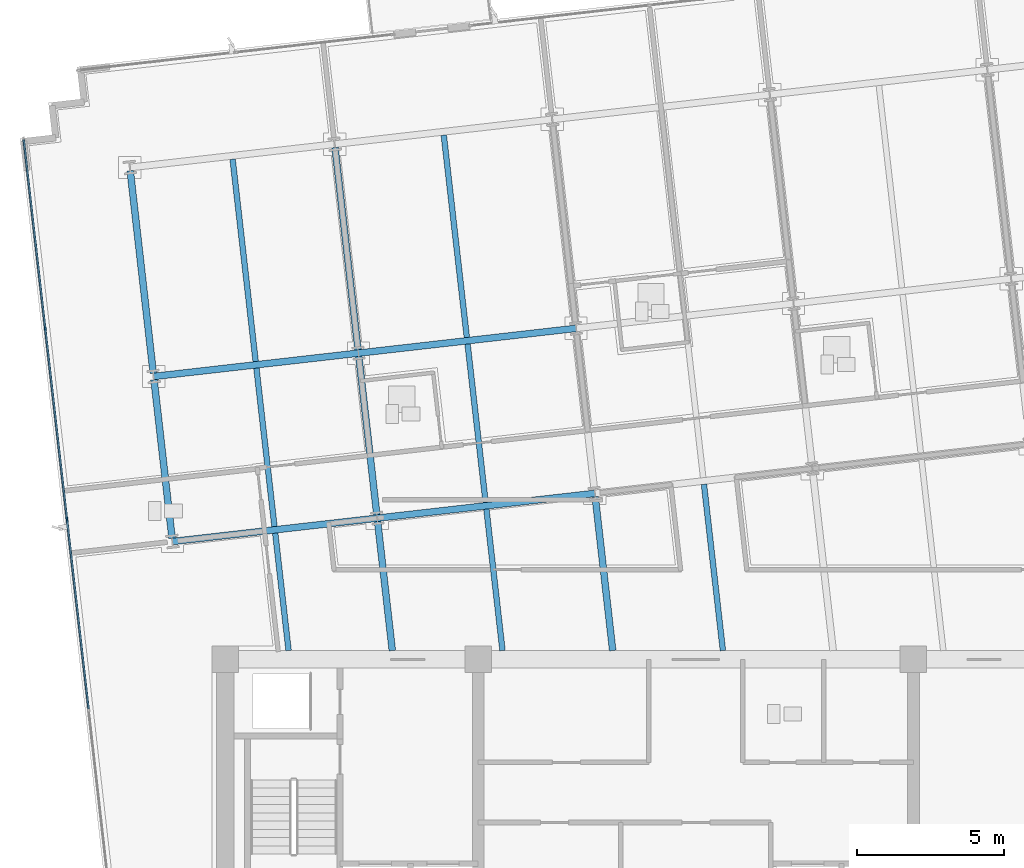
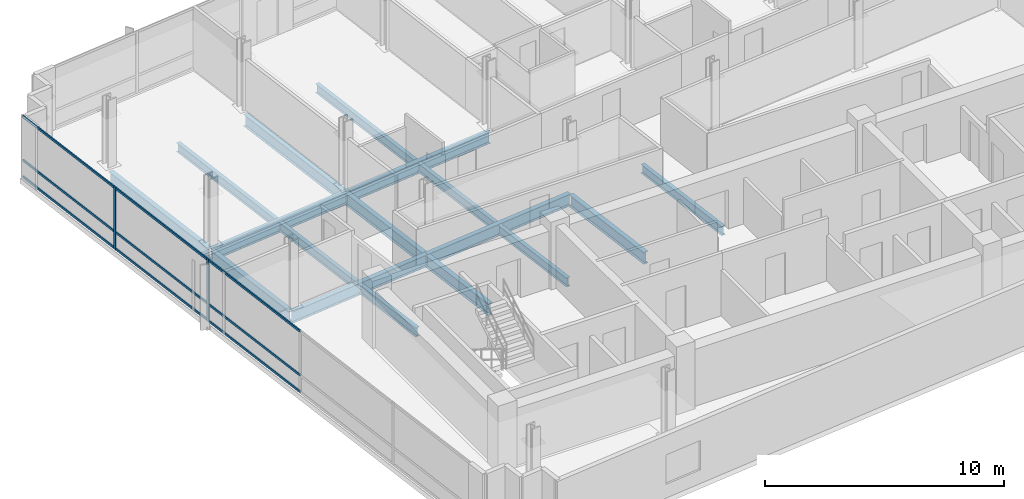
# One storey, part 3 of 16: 17 beams, 11 members, 1 element without a shape of its own.
"""IFC4 building model written with IfcOpenShell, lengths in metres."""

import ifcopenshell
import ifcopenshell.guid

model = None  # the IFC model being written
_history = None  # IfcOwnerHistory: only IFC2X3 demands one
_inside = {}  # id of a spatial element -> (the spatial element, [elements in it])
_under = {}  # id of a project, library or spatial element -> (it, [spatial elements below it])
_declared = {}  # id of a project -> (the project, [libraries it declares])
_typed = {}  # id of a type object -> (the type object, [elements of that type])
_made_of = {}  # id of a material, layer set ... -> (it, [elements and type objects made of it])


def new_model(schema):
    """Start an empty IFC model of exactly this schema.

    Asked for "IFC4X3", IfcOpenShell would pick the latest addendum, in which some entities
    have other attributes; the version numbers below select the first issue.
    IFC2X3 requires an IfcOwnerHistory on every rooted entity: one is made here for all.
    """
    global model, _history
    if schema == "IFC4X3":
        model = ifcopenshell.file(schema_version=(4, 3, 0, 0))
    else:
        model = ifcopenshell.file(schema=schema)
    _inside.clear()
    _under.clear()
    _declared.clear()
    _typed.clear()
    _made_of.clear()
    _history = None
    if model.schema == "IFC2X3":
        org = make("IfcOrganization", Name="unknown")
        user = make(
            "IfcPersonAndOrganization",
            ThePerson=make("IfcPerson", FamilyName="unknown"),
            TheOrganization=org,
        )
        app = make(
            "IfcApplication",
            ApplicationDeveloper=org,
            Version="unknown",
            ApplicationFullName="unknown",
            ApplicationIdentifier="unknown",
        )
        _history = make(
            "IfcOwnerHistory",
            OwningUser=user,
            OwningApplication=app,
            ChangeAction="ADDED",
            CreationDate=0,
        )
    return model


def make(cls, **values):
    """One entity of the class cls with the attributes given. An attribute that is None is left unset."""
    return model.create_entity(
        cls, **{name: value for name, value in values.items() if value is not None}
    )


def rooted(cls, **values):
    """An entity with a GlobalId (a new one), such as an element, a storey or a relation."""
    return make(cls, GlobalId=ifcopenshell.guid.new(), OwnerHistory=_history, **values)


def si_unit(unit_type, name, prefix=None):
    """IfcSIUnit, for example si_unit("LENGTHUNIT", "METRE", prefix="MILLI")."""
    return make("IfcSIUnit", UnitType=unit_type, Prefix=prefix, Name=name)


def assignment(units):
    """IfcUnitAssignment: the units of a project."""
    return None if units is None else make("IfcUnitAssignment", Units=units)


def point(xyz):
    """IfcCartesianPoint."""
    return None if xyz is None else make("IfcCartesianPoint", Coordinates=xyz)


def direction(xyz):
    """IfcDirection."""
    return None if xyz is None else make("IfcDirection", DirectionRatios=xyz)


def frame(location, z_axis=None, x_axis=None):
    """IfcAxis2Placement3D, a coordinate frame: its origin and axes. An axis left out is left unset."""
    return make(
        "IfcAxis2Placement3D",
        Location=point(location),
        Axis=direction(z_axis),
        RefDirection=direction(x_axis),
    )


def frame_2d(location, x_axis=None):
    """IfcAxis2Placement2D, a coordinate frame in the plane: its origin and x axis."""
    return make(
        "IfcAxis2Placement2D", Location=point(location), RefDirection=direction(x_axis)
    )


def origin():
    """The frame at (0, 0, 0) with its axes left unset."""
    return frame((0.0, 0.0, 0.0))


def origin_2d():
    """The frame at (0, 0) in the plane with its x axis left unset."""
    return frame_2d((0.0, 0.0))


def place(relative_to, where):
    """IfcLocalPlacement: puts the frame where relative to a parent placement (None: the world)."""
    return make(
        "IfcLocalPlacement", PlacementRelTo=relative_to, RelativePlacement=where
    )


def context(
    kind, dimensions, precision=None, world=None, true_north=None, identifier=None
):
    """IfcGeometricRepresentationContext, for example the 3D "Model" context."""
    return make(
        "IfcGeometricRepresentationContext",
        ContextIdentifier=identifier,
        ContextType=kind,
        CoordinateSpaceDimension=dimensions,
        Precision=precision,
        WorldCoordinateSystem=world,
        TrueNorth=true_north,
    )


def subcontext(parent, identifier, kind, view, scale=None):
    """IfcGeometricRepresentationSubContext, for example "Body" below "Model"."""
    return make(
        "IfcGeometricRepresentationSubContext",
        ContextIdentifier=identifier,
        ContextType=kind,
        ParentContext=parent,
        TargetScale=scale,
        TargetView=view,
    )


def project(units=None, contexts=None):
    """IfcProject with its units and contexts."""
    return rooted(
        "IfcProject",
        Name="project",
        RepresentationContexts=contexts,
        UnitsInContext=assignment(units),
    )


def spatial(cls, under=None, at=None, **own):
    """A site, building, storey or space (cls), placed at a placement, below another one or the project."""
    s = rooted(cls, ObjectPlacement=at, **own)
    if under is not None:
        _under.setdefault(under.id(), (under, []))[1].append(s)
    return s


def profile(cls, at=None, kind="AREA", **sizes):
    """A parametric profile (cls). Its sizes go by their IFC names, for example OverallWidth=200.0."""
    return make(cls, ProfileType=kind, Position=at, **sizes)


def rectangle(**sizes):
    """IfcRectangleProfileDef."""
    return profile("IfcRectangleProfileDef", **sizes)


def i_section(**sizes):
    """IfcIShapeProfileDef."""
    return profile("IfcIShapeProfileDef", **sizes)


def extrude(swept, where, along, depth):
    """IfcExtrudedAreaSolid: the profile swept, set in the frame where, extruded along a direction by depth."""
    return make(
        "IfcExtrudedAreaSolid",
        SweptArea=swept,
        Position=where,
        ExtrudedDirection=direction(along),
        Depth=depth,
    )


def shape(context_of_items, identifier, shape_type, items):
    """IfcShapeRepresentation: the items that make up one representation, for example the "Body"."""
    return make(
        "IfcShapeRepresentation",
        ContextOfItems=context_of_items,
        RepresentationIdentifier=identifier,
        RepresentationType=shape_type,
        Items=items,
    )


def material(Name=None, Category=None):
    """IfcMaterial."""
    return make("IfcMaterial", Name=Name, Category=Category)


def material_profile(
    of_material, cross_section, Name=None, Category=None, Priority=None
):
    """IfcMaterialProfile: a cross section and its material."""
    return make(
        "IfcMaterialProfile",
        Name=Name,
        Material=of_material,
        Profile=cross_section,
        Priority=Priority,
        Category=Category,
    )


def profile_set(profiles, Name=None, composite=None):
    """IfcMaterialProfileSet."""
    return make(
        "IfcMaterialProfileSet",
        Name=Name,
        MaterialProfiles=profiles,
        CompositeProfile=composite,
    )


def made_of(thing, what):
    """Note that an element or type object is made of a material, layer set ...; save() writes the relation."""
    if what is not None:
        _made_of.setdefault(what.id(), (what, []))[1].append(thing)
    return thing


def type_object(cls, material=None, **own):
    """A type object (cls), such as IfcWallType, which elements share."""
    return made_of(rooted(cls, **own), material)


def element(
    cls,
    number,
    at=None,
    inside=None,
    cuts=None,
    type_object=None,
    material=None,
    context=None,
    identifier="Body",
    shape_type=None,
    held_by="IfcProductDefinitionShape",
    body=None,
    shapes=None,
    **own,
):
    """One element of the class cls, such as IfcWall. Its Tag is "e" and its number.

    at: its placement. inside: the storey or other place that contains it. cuts: it is an
    opening in that element (IfcRelVoidsElement). A single representation is given by context,
    identifier, shape_type and body (its items); several are given by shapes. held_by: the class
    of the entity that holds the representations. save() writes the other relations.
    """
    e = rooted(cls, Tag="e%d" % number, ObjectPlacement=at, **own)
    if body is not None:
        shapes = [shape(context, identifier, shape_type, body)]
    if shapes is not None:
        e.Representation = make(held_by, Representations=shapes)
    if inside is not None:
        _inside.setdefault(inside.id(), (inside, []))[1].append(e)
    if cuts is not None:
        rooted(
            "IfcRelVoidsElement", RelatingBuildingElement=cuts, RelatedOpeningElement=e
        )
    if type_object is not None:
        _typed.setdefault(type_object.id(), (type_object, []))[1].append(e)
    return made_of(e, material)


def aggregate(whole, parts):
    """IfcRelAggregates: a whole, such as a stair, and the parts it consists of."""
    return rooted("IfcRelAggregates", RelatingObject=whole, RelatedObjects=parts)


def save(model, path):
    """Write the relations noted so far, then the file.

    IfcRelAggregates (storeys below a building ...), IfcRelContainedInSpatialStructure (elements
    in a storey), IfcRelDefinesByType, IfcRelAssociatesMaterial and IfcRelDeclares: one each for
    every whole, place, type object, material and project.
    """
    for whole, parts in _under.values():
        aggregate(whole, parts)
    for where, things in _inside.values():
        rooted(
            "IfcRelContainedInSpatialStructure",
            RelatedElements=things,
            RelatingStructure=where,
        )
    for kind, things in _typed.values():
        rooted("IfcRelDefinesByType", RelatedObjects=things, RelatingType=kind)
    for what, things in _made_of.values():
        rooted("IfcRelAssociatesMaterial", RelatedObjects=things, RelatingMaterial=what)
    for by, libraries in _declared.values():
        rooted("IfcRelDeclares", RelatingContext=by, RelatedDefinitions=libraries)
    model.write(path)


model = new_model("IFC4")

# Units and contexts
model_context = context("Model", 3, precision=1e-05, world=origin(), true_north=direction((0.0, 1.0)))
body_context = subcontext(model_context, "Body", "Model", "MODEL_VIEW")
ifc_project = project(units=[si_unit("LENGTHUNIT", "METRE"), si_unit("AREAUNIT", "SQUARE_METRE"), si_unit("VOLUMEUNIT", "CUBIC_METRE"), si_unit("PLANEANGLEUNIT", "RADIAN"), si_unit("MASSUNIT", "GRAM", prefix="KILO")], contexts=[model_context])

# Site, building, storey
site_placement = place(None, origin())
site = spatial("IfcSite", under=ifc_project, at=site_placement, CompositionType="ELEMENT")
building_placement = place(site_placement, origin())
building = spatial("IfcBuilding", under=site, at=building_placement, Name="Solmavex Isthmus Hotel", CompositionType="ELEMENT")
storey_placement = place(building_placement, frame((0.0, 0.0, 215.85009765625)))
storey = spatial("IfcBuildingStorey", under=building, at=storey_placement, Name="L58", CompositionType="ELEMENT", Elevation=215.85009765625)

# Beams
ifc_material_1 = material(Name="Steel ASTM A992 Grade 50", Category="steel")
ifc_material_profile_1 = material_profile(ifc_material_1, i_section(OverallWidth=0.1904296875, OverallDepth=0.456787109375, WebThickness=0.009033203125, FlangeThickness=0.014404296875, FilletRadius=0.0126953125, at=origin_2d()), Name="W18X50")
ifc_profile_set_1 = profile_set([ifc_material_profile_1], Name="Steel ASTM A992 Grade 50")
beam_type_1 = type_object("IfcBeamType", Name="BM-BJ-W18X50", PredefinedType="JOIST", material=ifc_profile_set_1)
beam_1_placement = place(storey_placement, frame((-13.847900390625, -2.199951171875, -0.488525390625), z_axis=(-0.113179724577, 0.993574531651, 0.0), x_axis=(-0.993574531651, -0.113179724577, 0.0)))
element("IfcBeam", 1, at=beam_1_placement, inside=storey, type_object=beam_type_1, Name="Secondary Floor Joist L58-J02", PredefinedType="JOIST", context=body_context, shape_type="SweptSolid", body=[
    extrude(i_section(OverallWidth=0.1904296875, OverallDepth=0.456787109375, WebThickness=0.009033203125, FlangeThickness=0.014404296875, FilletRadius=0.0126953125, at=origin_2d()), origin(), (0.0, 0.0, 1.0), 4.0166015625),
])
beam_2_placement = place(storey_placement, frame((-14.328369140625, 2.01708984375, -0.488525390625), z_axis=(-0.113189626161, 0.993573403695, 0.0), x_axis=(-0.993573403695, -0.113189626161, 0.0)))
element("IfcBeam", 2, at=beam_2_placement, inside=storey, type_object=beam_type_1, Name="Secondary Floor Joist L58-J03", PredefinedType="JOIST", context=body_context, shape_type="SweptSolid", body=[
    extrude(i_section(OverallWidth=0.1904296875, OverallDepth=0.456787109375, WebThickness=0.009033203125, FlangeThickness=0.014404296875, FilletRadius=0.0126953125, at=origin_2d()), origin(), (0.0, 0.0, 1.0), 5.42041015625),
])
beam_3_placement = place(storey_placement, frame((-14.9677734375, 7.62890625, -0.488525390625), z_axis=(-0.113202453846, 0.993571942258, 0.0), x_axis=(-0.993571942258, -0.113202453846, 0.0)))
element("IfcBeam", 3, at=beam_3_placement, inside=storey, type_object=beam_type_1, Name="Secondary Floor Joist L58-J04", PredefinedType="JOIST", context=body_context, shape_type="SweptSolid", body=[
    extrude(i_section(OverallWidth=0.1904296875, OverallDepth=0.456787109375, WebThickness=0.009033203125, FlangeThickness=0.014404296875, FilletRadius=0.0126953125, at=origin_2d()), origin(), (0.0, 0.0, 1.0), 6.9228515625),
])
beam_4_placement = place(storey_placement, frame((-6.57421875, -2.199951171875, -0.488525390625), z_axis=(-0.113193768539, 0.993572931779, 0.0), x_axis=(-0.993572931779, -0.113193768539, 0.0)))
element("IfcBeam", 4, at=beam_4_placement, inside=storey, type_object=beam_type_1, Name="Secondary Floor Joist L58-J06", PredefinedType="JOIST", context=body_context, shape_type="SweptSolid", body=[
    extrude(i_section(OverallWidth=0.1904296875, OverallDepth=0.456787109375, WebThickness=0.009033203125, FlangeThickness=0.014404296875, FilletRadius=0.0126953125, at=origin_2d()), origin(), (0.0, 0.0, 1.0), 4.83984375),
])
beam_5_placement = place(storey_placement, frame((-7.14794921875, 2.835205078125, -0.488525390625), z_axis=(-0.113189626161, 0.993573403695, 0.0), x_axis=(-0.993573403695, -0.113189626161, 0.0)))
element("IfcBeam", 5, at=beam_5_placement, inside=storey, type_object=beam_type_1, Name="Secondary Floor Joist L58-J07", PredefinedType="JOIST", context=body_context, shape_type="SweptSolid", body=[
    extrude(i_section(OverallWidth=0.1904296875, OverallDepth=0.456787109375, WebThickness=0.009033203125, FlangeThickness=0.014404296875, FilletRadius=0.0126953125, at=origin_2d()), origin(), (0.0, 0.0, 1.0), 5.42041015625),
])
beam_6_placement = place(storey_placement, frame((-7.787109375, 8.447021484375, -0.488525390625), z_axis=(-0.113202453846, 0.993571942258, 0.0), x_axis=(-0.993571942258, -0.113202453846, 0.0)))
element("IfcBeam", 6, at=beam_6_placement, inside=storey, type_object=beam_type_1, Name="Secondary Floor Joist L58-J08", PredefinedType="JOIST", context=body_context, shape_type="SweptSolid", body=[
    extrude(i_section(OverallWidth=0.1904296875, OverallDepth=0.456787109375, WebThickness=0.009033203125, FlangeThickness=0.014404296875, FilletRadius=0.0126953125, at=origin_2d()), origin(), (0.0, 0.0, 1.0), 6.9228515625),
])
beam_7_placement = place(storey_placement, frame((0.920166015625, -2.199951171875, -0.488525390625), z_axis=(-0.113219765873, 0.993569969663, 0.0), x_axis=(-0.993569969663, -0.113219765873, 0.0)))
element("IfcBeam", 7, at=beam_7_placement, inside=storey, type_object=beam_type_1, Name="Secondary Floor Joist L58-J09", PredefinedType="JOIST", context=body_context, shape_type="SweptSolid", body=[
    extrude(i_section(OverallWidth=0.1904296875, OverallDepth=0.456787109375, WebThickness=0.009033203125, FlangeThickness=0.014404296875, FilletRadius=0.0126953125, at=origin_2d()), origin(), (0.0, 0.0, 1.0), 5.6884765625),
])
ifc_material_profile_2 = material_profile(ifc_material_1, i_section(OverallWidth=0.227783203125, OverallDepth=0.602783203125, WebThickness=0.010498046875, FlangeThickness=0.014892578125, FilletRadius=0.01513671875, at=origin_2d()), Name="W24X68")
ifc_profile_set_2 = profile_set([ifc_material_profile_2], Name="Steel ASTM A992 Grade 50")
beam_type_2 = type_object("IfcBeamType", Name="BM-BM-W24X68", PredefinedType="BEAM", material=ifc_profile_set_2)
beam_8_placement = place(storey_placement, frame((-17.796875, 1.50732421875, -0.5615234375), z_axis=(0.993569675103, 0.113222350774, 0.0), x_axis=(-0.113222350774, 0.993569675103, 0.0)))
element("IfcBeam", 8, at=beam_8_placement, inside=storey, type_object=beam_type_2, Name="Floor Girder L58-UG06", PredefinedType="BEAM", context=body_context, shape_type="SweptSolid", body=[
    extrude(i_section(OverallWidth=0.227783203125, OverallDepth=0.602783203125, WebThickness=0.010498046875, FlangeThickness=0.014892578125, FilletRadius=0.01513671875, at=origin_2d()), origin(), (0.0, 0.0, 1.0), 7.008056640625),
])
beam_9_placement = place(storey_placement, frame((-10.833984375, 2.30078125, -0.5615234375), z_axis=(0.993574034044, 0.113184092846, 0.0), x_axis=(-0.113184092846, 0.993574034044, 0.0)))
element("IfcBeam", 9, at=beam_9_placement, inside=storey, type_object=beam_type_2, Name="Floor Girder L58-UG07", PredefinedType="BEAM", context=body_context, shape_type="SweptSolid", body=[
    extrude(i_section(OverallWidth=0.227783203125, OverallDepth=0.602783203125, WebThickness=0.010498046875, FlangeThickness=0.014892578125, FilletRadius=0.01513671875, at=origin_2d()), origin(), (0.0, 0.0, 1.0), 7.446044921875),
])
beam_10_placement = place(storey_placement, frame((-18.436279296875, 7.119140625, -0.5615234375), z_axis=(0.99357359356, 0.113187959519, 0.0), x_axis=(-0.113187959519, 0.99357359356, 0.0)))
element("IfcBeam", 10, at=beam_10_placement, inside=storey, type_object=beam_type_2, Name="Floor Girder L58-UG12", PredefinedType="BEAM", context=body_context, shape_type="SweptSolid", body=[
    extrude(i_section(OverallWidth=0.227783203125, OverallDepth=0.602783203125, WebThickness=0.010498046875, FlangeThickness=0.014892578125, FilletRadius=0.01513671875, at=origin_2d()), origin(), (0.0, 0.0, 1.0), 7.0078125),
])
beam_11_placement = place(storey_placement, frame((-11.473388671875, 7.912353515625, -0.5615234375), z_axis=(0.9935703463, 0.113216460607, 0.0), x_axis=(-0.113216460607, 0.9935703463, 0.0)))
element("IfcBeam", 11, at=beam_11_placement, inside=storey, type_object=beam_type_2, Name="Floor Girder L58-UG13", PredefinedType="BEAM", context=body_context, shape_type="SweptSolid", body=[
    extrude(i_section(OverallWidth=0.227783203125, OverallDepth=0.602783203125, WebThickness=0.010498046875, FlangeThickness=0.014892578125, FilletRadius=0.01513671875, at=origin_2d()), origin(), (0.0, 0.0, 1.0), 7.446044921875),
])
beam_12_placement = place(storey_placement, frame((-10.3212890625, -2.199951171875, -0.5615234375), z_axis=(-0.113173914695, 0.993575193447, 0.0), x_axis=(-0.993575193447, -0.113173914695, 0.0)))
element("IfcBeam", 12, at=beam_12_placement, inside=storey, type_object=beam_type_2, Name="Floor Beam L58-VG28", PredefinedType="BEAM", context=body_context, shape_type="SweptSolid", body=[
    extrude(i_section(OverallWidth=0.227783203125, OverallDepth=0.602783203125, WebThickness=0.010498046875, FlangeThickness=0.014892578125, FilletRadius=0.01513671875, at=origin_2d()), origin(), (0.0, 0.0, 1.0), 4.415771484375),
])
beam_13_placement = place(storey_placement, frame((-10.846923828125, 2.413818359375, -0.5615234375), z_axis=(-0.113189626161, 0.993573403695, 0.0), x_axis=(-0.993573403695, -0.113189626161, 0.0)))
element("IfcBeam", 13, at=beam_13_placement, inside=storey, type_object=beam_type_2, Name="Floor Beam L58-VG29", PredefinedType="BEAM", context=body_context, shape_type="SweptSolid", body=[
    extrude(i_section(OverallWidth=0.227783203125, OverallDepth=0.602783203125, WebThickness=0.010498046875, FlangeThickness=0.014892578125, FilletRadius=0.01513671875, at=origin_2d()), origin(), (0.0, 0.0, 1.0), 5.42041015625),
])
beam_14_placement = place(storey_placement, frame((-11.486328125, 8.025634765625, -0.5615234375), z_axis=(-0.113202453846, 0.993571942258, 0.0), x_axis=(-0.993571942258, -0.113202453846, 0.0)))
element("IfcBeam", 14, at=beam_14_placement, inside=storey, type_object=beam_type_2, Name="Floor Beam L58-VG30", PredefinedType="BEAM", context=body_context, shape_type="SweptSolid", body=[
    extrude(i_section(OverallWidth=0.227783203125, OverallDepth=0.602783203125, WebThickness=0.010498046875, FlangeThickness=0.014892578125, FilletRadius=0.01513671875, at=origin_2d()), origin(), (0.0, 0.0, 1.0), 6.9228515625),
])
beam_15_placement = place(storey_placement, frame((-2.8271484375, -2.199951171875, -0.5615234375), z_axis=(-0.113159423971, 0.993576843916, 0.0), x_axis=(-0.993576843916, -0.113159423971, 0.0)))
element("IfcBeam", 15, at=beam_15_placement, inside=storey, type_object=beam_type_2, Name="Floor Beam L58-VG31", PredefinedType="BEAM", context=body_context, shape_type="SweptSolid", body=[
    extrude(i_section(OverallWidth=0.227783203125, OverallDepth=0.602783203125, WebThickness=0.010498046875, FlangeThickness=0.014892578125, FilletRadius=0.01513671875, at=origin_2d()), origin(), (0.0, 0.0, 1.0), 5.26416015625),
])
ifc_material_profile_3 = material_profile(ifc_material_1, i_section(OverallWidth=0.230224609375, OverallDepth=0.617431640625, WebThickness=0.01318359375, FlangeThickness=0.022216796875, FilletRadius=0.01513671875, at=origin_2d()), Name="W24X94")
ifc_profile_set_3 = profile_set([ifc_material_profile_3], Name="Steel ASTM A992 Grade 50")
beam_type_3 = type_object("IfcBeamType", Name="BM-SP-W24X94", PredefinedType="SPANDREL", material=ifc_profile_set_3)
beam_16_placement = place(storey_placement, frame((-17.809814453125, 1.62060546875, -0.56884765625), z_axis=(-0.113194691868, 0.993572826587, 0.0), x_axis=(-0.993572826587, -0.113194691868, 0.0)))
element("IfcBeam", 16, at=beam_16_placement, inside=storey, type_object=beam_type_3, Name="Floor Beam L58-VG25", PredefinedType="SPANDREL", context=body_context, shape_type="SweptSolid", body=[
    extrude(i_section(OverallWidth=0.230224609375, OverallDepth=0.617431640625, WebThickness=0.01318359375, FlangeThickness=0.022216796875, FilletRadius=0.01513671875, at=origin_2d()), origin(), (0.0, 0.0, 1.0), 5.420166015625),
])
beam_17_placement = place(storey_placement, frame((-18.44921875, 7.232177734375, -0.56884765625), z_axis=(-0.113202453846, 0.993571942258, 0.0), x_axis=(-0.993571942258, -0.113202453846, 0.0)))
element("IfcBeam", 17, at=beam_17_placement, inside=storey, type_object=beam_type_3, Name="Floor Beam L58-VG26", PredefinedType="SPANDREL", context=body_context, shape_type="SweptSolid", body=[
    extrude(i_section(OverallWidth=0.230224609375, OverallDepth=0.617431640625, WebThickness=0.01318359375, FlangeThickness=0.022216796875, FilletRadius=0.01513671875, at=origin_2d()), origin(), (0.0, 0.0, 1.0), 6.9228515625),
])

# Curtain wall, members
ifc_material_2 = material(Name="Aluminium alloy 6063-T6", Category="aluminium")
curtain_wall_type = type_object("IfcCurtainWallType", Name="CW-SYS-06", PredefinedType="NOTDEFINED", material=ifc_material_2)
curtain_wall_placement = place(storey_placement, origin())
curtain_wall = element("IfcCurtainWall", 18, at=curtain_wall_placement, inside=storey, type_object=curtain_wall_type, Name="Stick Curtain Wall CWL-L58-W1", PredefinedType="NOTDEFINED")
ifc_material_profile_4 = material_profile(ifc_material_2, rectangle(XDim=0.06005859375, YDim=0.139892578125, at=origin_2d()), Name="CWM-60X140")
ifc_profile_set_4 = profile_set([ifc_material_profile_4], Name="Aluminium alloy 6063-T6")
member_type_1 = type_object("IfcMemberType", Name="CW-SYS-06-MUL", PredefinedType="MULLION", material=ifc_profile_set_4)
member_1_placement = place(storey_placement, frame((-21.385986328125, 2.265869140625, 0.0), z_axis=(0.0, 0.0, 1.0), x_axis=(-0.993571836648, -0.11320338078, 0.0)))
member_1 = element("IfcMember", 19, at=member_1_placement, type_object=member_type_1, Name="CW-06 mullion 4", PredefinedType="MULLION", context=body_context, shape_type="SweptSolid", body=[
    extrude(rectangle(XDim=0.06005859375, YDim=0.139892578125, at=origin_2d()), origin(), (0.0, 0.0, 1.0), 3.18994140625),
])
member_2_placement = place(storey_placement, frame((-22.1240234375, 8.744140625, 0.0), z_axis=(0.0, 0.0, 1.0), x_axis=(-0.993571836648, -0.11320338078, 0.0)))
member_2 = element("IfcMember", 20, at=member_2_placement, type_object=member_type_1, Name="CW-06 mullion 5", PredefinedType="MULLION", context=body_context, shape_type="SweptSolid", body=[
    extrude(rectangle(XDim=0.06005859375, YDim=0.139892578125, at=origin_2d()), origin(), (0.0, 0.0, 1.0), 3.18994140625),
])
ifc_material_profile_5 = material_profile(ifc_material_2, rectangle(XDim=0.06005859375, YDim=0.114990234375, at=origin_2d()), Name="CWT-60X115")
ifc_profile_set_5 = profile_set([ifc_material_profile_5], Name="Aluminium alloy 6063-T6")
member_type_2 = type_object("IfcMemberType", Name="CW-SYS-06-TRN", PredefinedType="USERDEFINED", material=ifc_profile_set_5)
member_3_placement = place(storey_placement, frame((-20.651123046875, -4.182373046875, 0.057373046875), z_axis=(-0.113226824616, 0.993569165276, 0.0), x_axis=(-0.993569165276, -0.113226824616, 0.0)))
member_3 = element("IfcMember", 21, at=member_3_placement, type_object=member_type_2, Name="CW-06 transom 3.1", ObjectType="TRANSOM", PredefinedType="USERDEFINED", context=body_context, shape_type="SweptSolid", body=[
    extrude(rectangle(XDim=0.06005859375, YDim=0.114990234375, at=origin_2d()), origin(), (0.0, 0.0, 1.0), 6.4599609375),
])
member_4_placement = place(storey_placement, frame((-20.651123046875, -4.182373046875, 0.89990234375), z_axis=(-0.113226824616, 0.993569165276, 0.0), x_axis=(-0.993569165276, -0.113226824616, 0.0)))
member_4 = element("IfcMember", 22, at=member_4_placement, type_object=member_type_2, Name="CW-06 transom 3.2", ObjectType="TRANSOM", PredefinedType="USERDEFINED", context=body_context, shape_type="SweptSolid", body=[
    extrude(rectangle(XDim=0.06005859375, YDim=0.114990234375, at=origin_2d()), origin(), (0.0, 0.0, 1.0), 6.4599609375),
])
member_5_placement = place(storey_placement, frame((-20.651123046875, -4.182373046875, 3.13232421875), z_axis=(-0.113226824616, 0.993569165276, 0.0), x_axis=(-0.993569165276, -0.113226824616, 0.0)))
member_5 = element("IfcMember", 23, at=member_5_placement, type_object=member_type_2, Name="CW-06 transom 3.3", ObjectType="TRANSOM", PredefinedType="USERDEFINED", context=body_context, shape_type="SweptSolid", body=[
    extrude(rectangle(XDim=0.06005859375, YDim=0.114990234375, at=origin_2d()), origin(), (0.0, 0.0, 1.0), 6.4599609375),
])
member_6_placement = place(storey_placement, frame((-21.389404296875, 2.295654296875, 0.057373046875), z_axis=(-0.113189516226, 0.993573416219, 0.0), x_axis=(-0.993573416219, -0.113189516226, 0.0)))
member_6 = element("IfcMember", 24, at=member_6_placement, type_object=member_type_2, Name="CW-06 transom 4.1", ObjectType="TRANSOM", PredefinedType="USERDEFINED", context=body_context, shape_type="SweptSolid", body=[
    extrude(rectangle(XDim=0.06005859375, YDim=0.114990234375, at=origin_2d()), origin(), (0.0, 0.0, 1.0), 6.4599609375),
])
member_7_placement = place(storey_placement, frame((-21.389404296875, 2.295654296875, 0.89990234375), z_axis=(-0.113189516226, 0.993573416219, 0.0), x_axis=(-0.993573416219, -0.113189516226, 0.0)))
member_7 = element("IfcMember", 25, at=member_7_placement, type_object=member_type_2, Name="CW-06 transom 4.2", ObjectType="TRANSOM", PredefinedType="USERDEFINED", context=body_context, shape_type="SweptSolid", body=[
    extrude(rectangle(XDim=0.06005859375, YDim=0.114990234375, at=origin_2d()), origin(), (0.0, 0.0, 1.0), 6.4599609375),
])
member_8_placement = place(storey_placement, frame((-21.389404296875, 2.295654296875, 3.13232421875), z_axis=(-0.113189516226, 0.993573416219, 0.0), x_axis=(-0.993573416219, -0.113189516226, 0.0)))
member_8 = element("IfcMember", 26, at=member_8_placement, type_object=member_type_2, Name="CW-06 transom 4.3", ObjectType="TRANSOM", PredefinedType="USERDEFINED", context=body_context, shape_type="SweptSolid", body=[
    extrude(rectangle(XDim=0.06005859375, YDim=0.114990234375, at=origin_2d()), origin(), (0.0, 0.0, 1.0), 6.4599609375),
])
member_9_placement = place(storey_placement, frame((-22.12744140625, 8.77392578125, 0.057373046875), z_axis=(-0.113185709511, 0.993573849879, 0.0), x_axis=(-0.993573849879, -0.113185709511, 0.0)))
member_9 = element("IfcMember", 27, at=member_9_placement, type_object=member_type_2, Name="CW-06 transom 5.1", ObjectType="TRANSOM", PredefinedType="USERDEFINED", context=body_context, shape_type="SweptSolid", body=[
    extrude(rectangle(XDim=0.06005859375, YDim=0.114990234375, at=origin_2d()), origin(), (0.0, 0.0, 1.0), 6.429931640625),
])
member_10_placement = place(storey_placement, frame((-22.12744140625, 8.77392578125, 0.89990234375), z_axis=(-0.113185709511, 0.993573849879, 0.0), x_axis=(-0.993573849879, -0.113185709511, 0.0)))
member_10 = element("IfcMember", 28, at=member_10_placement, type_object=member_type_2, Name="CW-06 transom 5.2", ObjectType="TRANSOM", PredefinedType="USERDEFINED", context=body_context, shape_type="SweptSolid", body=[
    extrude(rectangle(XDim=0.06005859375, YDim=0.114990234375, at=origin_2d()), origin(), (0.0, 0.0, 1.0), 6.429931640625),
])
member_11_placement = place(storey_placement, frame((-22.12744140625, 8.77392578125, 3.13232421875), z_axis=(-0.113185709511, 0.993573849879, 0.0), x_axis=(-0.993573849879, -0.113185709511, 0.0)))
member_11 = element("IfcMember", 29, at=member_11_placement, type_object=member_type_2, Name="CW-06 transom 5.3", ObjectType="TRANSOM", PredefinedType="USERDEFINED", context=body_context, shape_type="SweptSolid", body=[
    extrude(rectangle(XDim=0.06005859375, YDim=0.114990234375, at=origin_2d()), origin(), (0.0, 0.0, 1.0), 6.429931640625),
])
aggregate(curtain_wall, [member_1, member_2, member_3, member_4, member_5, member_6, member_7, member_8, member_9, member_10, member_11])

save(model, "model.ifc")
